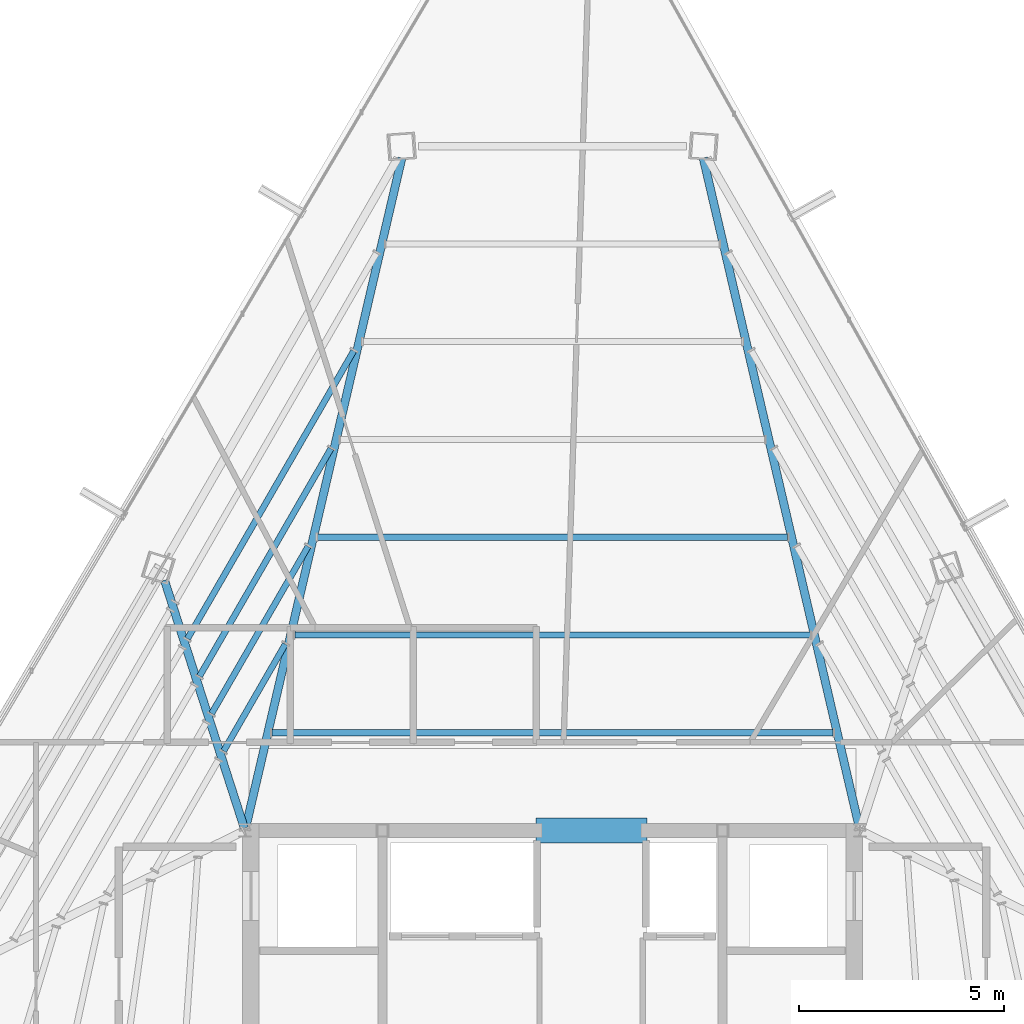
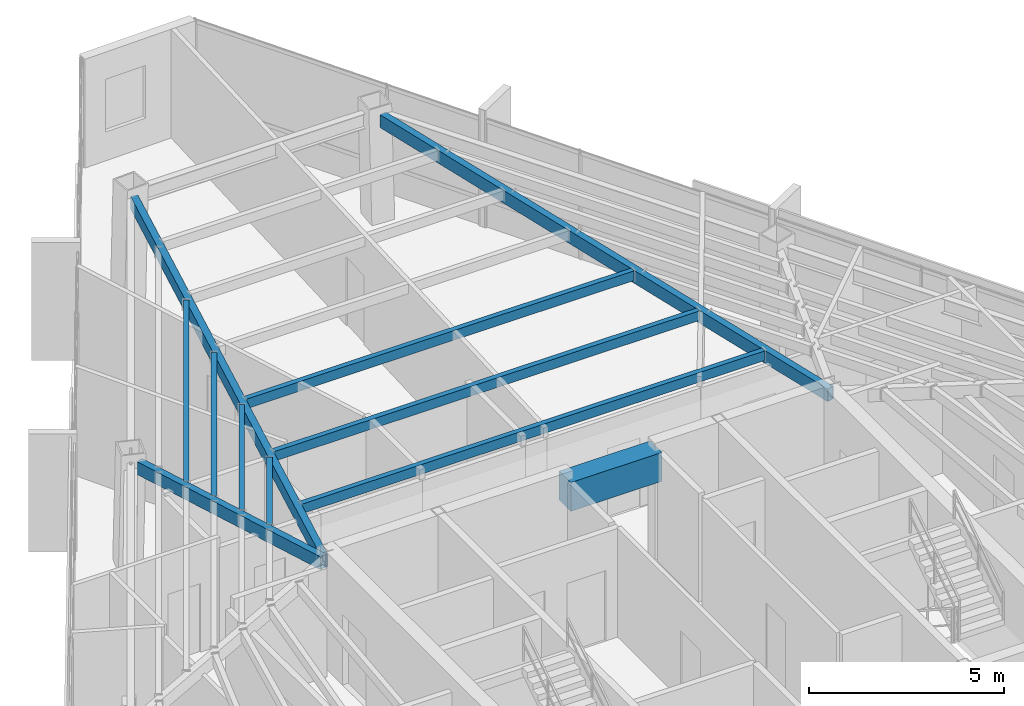
# One storey, part 18 of 45: 11 beams.
"""IFC4 building model written with IfcOpenShell, lengths in metres."""

from ifc_helpers import new_model, si_unit, direction, frame, origin, origin_2d, place, context, subcontext, project, spatial, rectangle, hollow_rectangle, extrude, source, transform, mapped, material, material_profile, profile_set, type_object, type_shapes, element, save


model = new_model("IFC4")

# Units and contexts
model_context = context("Model", 3, precision=1e-05, world=origin(), true_north=direction((0.0, 1.0)))
body_context = subcontext(model_context, "Body", "Model", "MODEL_VIEW")
ifc_project = project(units=[si_unit("LENGTHUNIT", "METRE"), si_unit("AREAUNIT", "SQUARE_METRE"), si_unit("VOLUMEUNIT", "CUBIC_METRE"), si_unit("PLANEANGLEUNIT", "RADIAN"), si_unit("MASSUNIT", "GRAM", prefix="KILO")], contexts=[model_context])

# Site, building, storey
site_placement = place(None, origin())
site = spatial("IfcSite", under=ifc_project, at=site_placement, CompositionType="ELEMENT")
building_placement = place(site_placement, origin())
building = spatial("IfcBuilding", under=site, at=building_placement, Name="Caelisora Broadcast Tower", CompositionType="ELEMENT")
storey_placement = place(building_placement, frame((0.0, 0.0, 262.699951171875)))
storey = spatial("IfcBuildingStorey", under=building, at=storey_placement, Name="L69", CompositionType="ELEMENT", Elevation=262.699951171875)

# Beams
ifc_material_1 = material(Name="Concrete 50 MPa (AS 3600 S50)", Category="concrete")
ifc_material_profile_1 = material_profile(ifc_material_1, rectangle(XDim=0.60009765625, YDim=0.89990234375, at=origin_2d()), Name="Concrete 50 MPa (AS 3600 S50)")
ifc_profile_set_1 = profile_set([ifc_material_profile_1], Name="Concrete 50 MPa (AS 3600 S50)")
beam_type_1 = type_object("IfcBeamType", Name="CB02", PredefinedType="LINTEL", material=ifc_profile_set_1)
shared_shape_1 = source(origin(), body_context, "Body", "SweptSolid", [
    extrude(rectangle(XDim=0.60009765625, YDim=0.89990234375, at=origin_2d()), origin(), (0.0, 0.0, 1.0), 2.699951171875),
])
type_shapes(beam_type_1, [shared_shape_1])
beam_1_placement = place(storey_placement, frame((37.60009765625, 30.0, 2.949951171875), z_axis=(1.0, 0.0, 0.0), x_axis=(0.0, 1.0, 0.0)))
element("IfcBeam", 1, at=beam_1_placement, inside=storey, type_object=beam_type_1, Name="L69 beam CB02", PredefinedType="LINTEL", context=body_context, shape_type="MappedRepresentation", body=[
    mapped(shared_shape_1, transform((0.0, 0.0, 0.0), scale=1.0)),
])
ifc_material_2 = material(Name="Steel Grade 350 (AS/NZS 1163 C350L0)", Category="steel")
ifc_material_profile_2 = material_profile(ifc_material_2, hollow_rectangle(XDim=0.199951171875, YDim=0.39990234375, WallThickness=0.012451171875, at=origin_2d()), Name="Steel Grade 350 (AS/NZS 1163 C350L0)")
ifc_profile_set_2 = profile_set([ifc_material_profile_2], Name="Steel Grade 350 (AS/NZS 1163 C350L0)")
beam_type_2 = type_object("IfcBeamType", Name="PG07", PredefinedType="BEAM", material=ifc_profile_set_2)
shared_shape_2 = source(origin(), body_context, "Body", "SweptSolid", [
    extrude(hollow_rectangle(XDim=0.199951171875, YDim=0.39990234375, WallThickness=0.012451171875, at=origin_2d()), origin(), (0.0, 0.0, 1.0), 16.781982421875),
])
for number, where, z_axis, x_axis, name in (
    (2, (45.486328125, 30.058349609375, 3.199951171875), (-0.227046576804, 0.973883900658, 0.0), (-0.973883900658, -0.227046576804, 0.0), "L69 beam PG07"),
    (3, (30.513671875, 30.058349609375, 3.199951171875), (0.227046576804, 0.973883900658, 0.0), (-0.973883900658, 0.227046576804, 0.0), "L69 beam PG07"),
):
    element("IfcBeam", number, at=place(storey_placement, frame(where, z_axis=z_axis, x_axis=x_axis)), inside=storey, type_object=beam_type_2, Name=name, PredefinedType="BEAM", context=body_context, shape_type="MappedRepresentation", body=[
        mapped(shared_shape_2, transform((0.0, 0.0, 0.0), scale=1.0)),
    ])
shared_shape_3 = source(origin(), body_context, "Body", "SweptSolid", [
    extrude(hollow_rectangle(XDim=0.199951171875, YDim=0.39990234375, WallThickness=0.012451171875, at=origin_2d()), origin(), (0.0, 0.0, 1.0), 6.352783203125),
])
type_shapes(beam_type_2, [shared_shape_2, shared_shape_3])
beam_2_placement = place(storey_placement, frame((30.481689453125, 30.05712890625, 3.199951171875), z_axis=(-0.306631099751, 0.95182843447, 0.0), x_axis=(-0.95182843447, -0.306631099751, 0.0)))
element("IfcBeam", 4, at=beam_2_placement, inside=storey, type_object=beam_type_2, Name="L69 beam PG07", PredefinedType="BEAM", context=body_context, shape_type="MappedRepresentation", body=[
    mapped(shared_shape_3, transform((0.0, 0.0, 0.0), scale=1.0)),
])
ifc_material_profile_3 = material_profile(ifc_material_2, hollow_rectangle(XDim=0.14990234375, YDim=0.300048828125, WallThickness=0.010009765625, at=origin_2d()), Name="Steel Grade 350 (AS/NZS 1163 C350L0)")
ifc_profile_set_3 = profile_set([ifc_material_profile_3], Name="Steel Grade 350 (AS/NZS 1163 C350L0)")
beam_type_3 = type_object("IfcBeamType", Name="SB05", PredefinedType="JOIST", material=ifc_profile_set_3)
shared_shape_4 = source(origin(), body_context, "Body", "SweptSolid", [
    extrude(hollow_rectangle(XDim=0.14990234375, YDim=0.300048828125, WallThickness=0.010009765625, at=origin_2d()), origin(), (0.0, 0.0, 1.0), 13.6884765625),
])
beam_3_placement = place(storey_placement, frame((44.84423828125, 32.384521484375, 3.25), z_axis=(-1.0, 0.0, 0.0), x_axis=(0.0, -1.0, 0.0)))
element("IfcBeam", 5, at=beam_3_placement, inside=storey, type_object=beam_type_3, Name="L69 beam SB05", PredefinedType="JOIST", context=body_context, shape_type="MappedRepresentation", body=[
    mapped(shared_shape_4, transform((0.0, 0.0, 0.0), scale=1.0)),
])
shared_shape_5 = source(origin(), body_context, "Body", "SweptSolid", [
    extrude(hollow_rectangle(XDim=0.14990234375, YDim=0.300048828125, WallThickness=0.010009765625, at=origin_2d()), origin(), (0.0, 0.0, 1.0), 12.57666015625),
])
beam_4_placement = place(storey_placement, frame((44.288330078125, 34.769287109375, 3.25), z_axis=(-1.0, 0.0, 0.0), x_axis=(0.0, -1.0, 0.0)))
element("IfcBeam", 6, at=beam_4_placement, inside=storey, type_object=beam_type_3, Name="L69 beam SB05", PredefinedType="JOIST", context=body_context, shape_type="MappedRepresentation", body=[
    mapped(shared_shape_5, transform((0.0, 0.0, 0.0), scale=1.0)),
])
shared_shape_6 = source(origin(), body_context, "Body", "SweptSolid", [
    extrude(hollow_rectangle(XDim=0.14990234375, YDim=0.300048828125, WallThickness=0.010009765625, at=origin_2d()), origin(), (0.0, 0.0, 1.0), 11.46484375),
])
beam_5_placement = place(storey_placement, frame((43.732421875, 37.15380859375, 3.25), z_axis=(-1.0, 0.0, 0.0), x_axis=(0.0, -1.0, 0.0)))
element("IfcBeam", 7, at=beam_5_placement, inside=storey, type_object=beam_type_3, Name="L69 beam SB05", PredefinedType="JOIST", context=body_context, shape_type="MappedRepresentation", body=[
    mapped(shared_shape_6, transform((0.0, 0.0, 0.0), scale=1.0)),
])
shared_shape_7 = source(origin(), body_context, "Body", "SweptSolid", [
    extrude(hollow_rectangle(XDim=0.14990234375, YDim=0.300048828125, WallThickness=0.010009765625, at=origin_2d()), origin(), (0.0, 0.0, 1.0), 3.007568359375),
])
beam_6_placement = place(storey_placement, frame((31.481689453125, 34.5439453125, 3.25), z_axis=(-0.499954337256, -0.866051765577, 0.0), x_axis=(0.866051765577, -0.499954337256, 0.0)))
element("IfcBeam", 8, at=beam_6_placement, inside=storey, type_object=beam_type_3, Name="L69 beam SB05", PredefinedType="JOIST", context=body_context, shape_type="MappedRepresentation", body=[
    mapped(shared_shape_7, transform((0.0, 0.0, 0.0), scale=1.0)),
])
shared_shape_8 = source(origin(), body_context, "Body", "SweptSolid", [
    extrude(hollow_rectangle(XDim=0.14990234375, YDim=0.300048828125, WallThickness=0.010009765625, at=origin_2d()), origin(), (0.0, 0.0, 1.0), 4.707275390625),
])
beam_7_placement = place(storey_placement, frame((32.037841796875, 36.928466796875, 3.25), z_axis=(-0.500015761424, -0.866016303731, 0.0), x_axis=(0.866016303731, -0.500015761424, 0.0)))
element("IfcBeam", 9, at=beam_7_placement, inside=storey, type_object=beam_type_3, Name="L69 beam SB05", PredefinedType="JOIST", context=body_context, shape_type="MappedRepresentation", body=[
    mapped(shared_shape_8, transform((0.0, 0.0, 0.0), scale=1.0)),
])
shared_shape_9 = source(origin(), body_context, "Body", "SweptSolid", [
    extrude(hollow_rectangle(XDim=0.14990234375, YDim=0.300048828125, WallThickness=0.010009765625, at=origin_2d()), origin(), (0.0, 0.0, 1.0), 6.406982421875),
])
beam_8_placement = place(storey_placement, frame((32.59375, 39.31298828125, 3.25), z_axis=(-0.500016016435, -0.866016156494, 0.0), x_axis=(0.866016156494, -0.500016016435, 0.0)))
element("IfcBeam", 10, at=beam_8_placement, inside=storey, type_object=beam_type_3, Name="L69 beam SB05", PredefinedType="JOIST", context=body_context, shape_type="MappedRepresentation", body=[
    mapped(shared_shape_9, transform((0.0, 0.0, 0.0), scale=1.0)),
])
shared_shape_10 = source(origin(), body_context, "Body", "SweptSolid", [
    extrude(hollow_rectangle(XDim=0.14990234375, YDim=0.300048828125, WallThickness=0.010009765625, at=origin_2d()), origin(), (0.0, 0.0, 1.0), 8.10693359375),
])
type_shapes(beam_type_3, [shared_shape_4, shared_shape_5, shared_shape_6, shared_shape_7, shared_shape_8, shared_shape_9, shared_shape_10])
beam_9_placement = place(storey_placement, frame((33.149658203125, 41.69775390625, 3.25), z_axis=(-0.5000031239, -0.866023600192, 0.0), x_axis=(0.866023600192, -0.5000031239, 0.0)))
element("IfcBeam", 11, at=beam_9_placement, inside=storey, type_object=beam_type_3, Name="L69 beam SB05", PredefinedType="JOIST", context=body_context, shape_type="MappedRepresentation", body=[
    mapped(shared_shape_10, transform((0.0, 0.0, 0.0), scale=1.0)),
])

save(model, "model.ifc")
